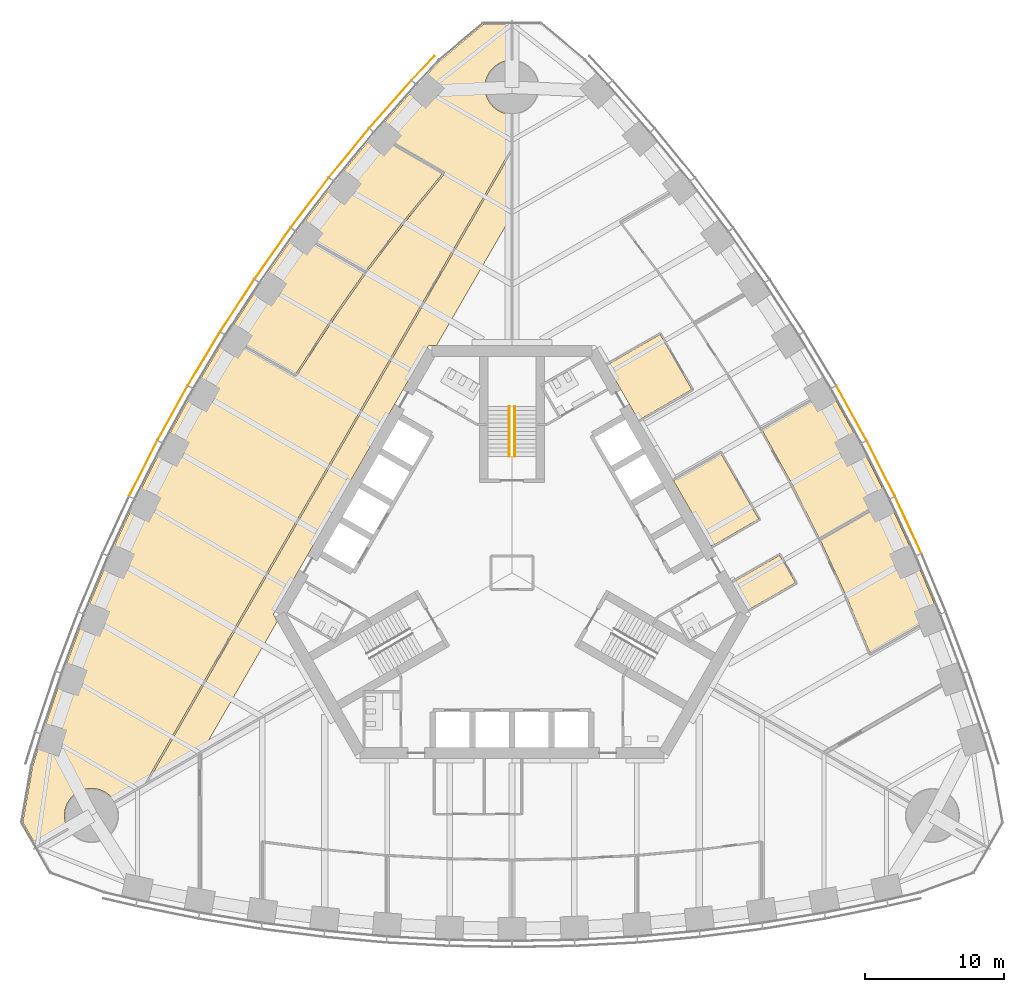
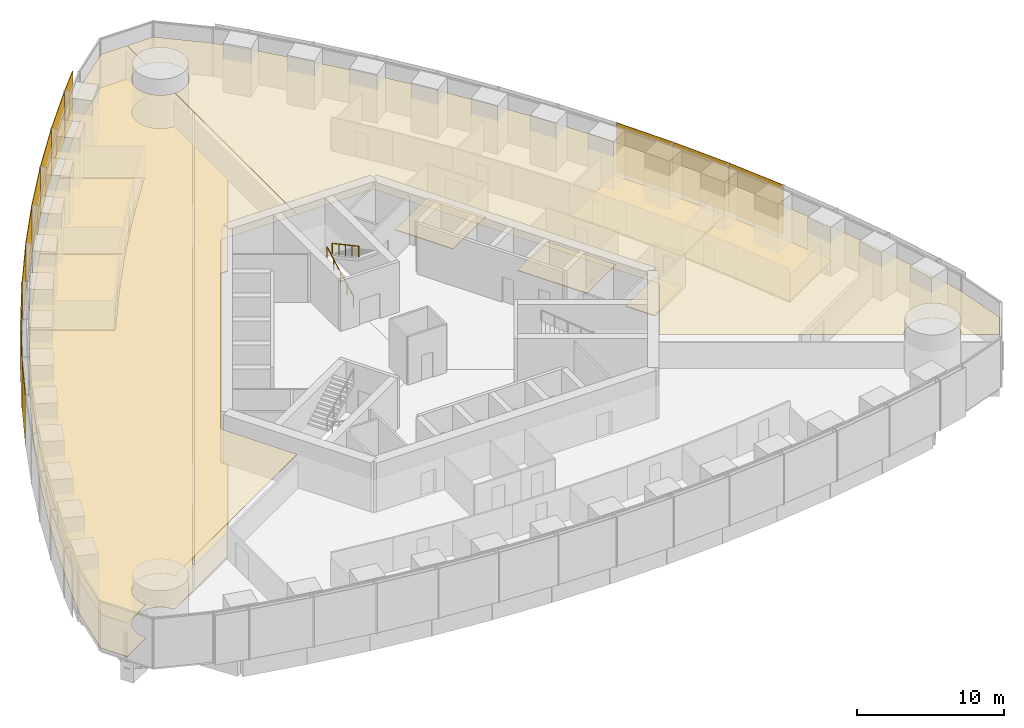
# One storey, part 15 of 18: 12 shading devices, 11 coverings, 2 railings.
"""IFC4 building model written with IfcOpenShell, lengths in metres."""

import ifcopenshell
import ifcopenshell.guid

model = None  # the IFC model being written
_history = None  # IfcOwnerHistory: only IFC2X3 demands one
_inside = {}  # id of a spatial element -> (the spatial element, [elements in it])
_under = {}  # id of a project, library or spatial element -> (it, [spatial elements below it])
_declared = {}  # id of a project -> (the project, [libraries it declares])
_typed = {}  # id of a type object -> (the type object, [elements of that type])
_made_of = {}  # id of a material, layer set ... -> (it, [elements and type objects made of it])


def new_model(schema):
    """Start an empty IFC model of exactly this schema.

    Asked for "IFC4X3", IfcOpenShell would pick the latest addendum, in which some entities
    have other attributes; the version numbers below select the first issue.
    IFC2X3 requires an IfcOwnerHistory on every rooted entity: one is made here for all.
    """
    global model, _history
    if schema == "IFC4X3":
        model = ifcopenshell.file(schema_version=(4, 3, 0, 0))
    else:
        model = ifcopenshell.file(schema=schema)
    _inside.clear()
    _under.clear()
    _declared.clear()
    _typed.clear()
    _made_of.clear()
    _history = None
    if model.schema == "IFC2X3":
        org = make("IfcOrganization", Name="unknown")
        user = make(
            "IfcPersonAndOrganization",
            ThePerson=make("IfcPerson", FamilyName="unknown"),
            TheOrganization=org,
        )
        app = make(
            "IfcApplication",
            ApplicationDeveloper=org,
            Version="unknown",
            ApplicationFullName="unknown",
            ApplicationIdentifier="unknown",
        )
        _history = make(
            "IfcOwnerHistory",
            OwningUser=user,
            OwningApplication=app,
            ChangeAction="ADDED",
            CreationDate=0,
        )
    return model


def make(cls, **values):
    """One entity of the class cls with the attributes given. An attribute that is None is left unset."""
    return model.create_entity(
        cls, **{name: value for name, value in values.items() if value is not None}
    )


def rooted(cls, **values):
    """An entity with a GlobalId (a new one), such as an element, a storey or a relation."""
    return make(cls, GlobalId=ifcopenshell.guid.new(), OwnerHistory=_history, **values)


def si_unit(unit_type, name, prefix=None):
    """IfcSIUnit, for example si_unit("LENGTHUNIT", "METRE", prefix="MILLI")."""
    return make("IfcSIUnit", UnitType=unit_type, Prefix=prefix, Name=name)


def assignment(units):
    """IfcUnitAssignment: the units of a project."""
    return None if units is None else make("IfcUnitAssignment", Units=units)


def point(xyz):
    """IfcCartesianPoint."""
    return None if xyz is None else make("IfcCartesianPoint", Coordinates=xyz)


def direction(xyz):
    """IfcDirection."""
    return None if xyz is None else make("IfcDirection", DirectionRatios=xyz)


def frame(location, z_axis=None, x_axis=None):
    """IfcAxis2Placement3D, a coordinate frame: its origin and axes. An axis left out is left unset."""
    return make(
        "IfcAxis2Placement3D",
        Location=point(location),
        Axis=direction(z_axis),
        RefDirection=direction(x_axis),
    )


def frame_2d(location, x_axis=None):
    """IfcAxis2Placement2D, a coordinate frame in the plane: its origin and x axis."""
    return make(
        "IfcAxis2Placement2D", Location=point(location), RefDirection=direction(x_axis)
    )


def origin():
    """The frame at (0, 0, 0) with its axes left unset."""
    return frame((0.0, 0.0, 0.0))


def origin_2d():
    """The frame at (0, 0) in the plane with its x axis left unset."""
    return frame_2d((0.0, 0.0))


def place(relative_to, where):
    """IfcLocalPlacement: puts the frame where relative to a parent placement (None: the world)."""
    return make(
        "IfcLocalPlacement", PlacementRelTo=relative_to, RelativePlacement=where
    )


def context(
    kind, dimensions, precision=None, world=None, true_north=None, identifier=None
):
    """IfcGeometricRepresentationContext, for example the 3D "Model" context."""
    return make(
        "IfcGeometricRepresentationContext",
        ContextIdentifier=identifier,
        ContextType=kind,
        CoordinateSpaceDimension=dimensions,
        Precision=precision,
        WorldCoordinateSystem=world,
        TrueNorth=true_north,
    )


def subcontext(parent, identifier, kind, view, scale=None):
    """IfcGeometricRepresentationSubContext, for example "Body" below "Model"."""
    return make(
        "IfcGeometricRepresentationSubContext",
        ContextIdentifier=identifier,
        ContextType=kind,
        ParentContext=parent,
        TargetScale=scale,
        TargetView=view,
    )


def project(units=None, contexts=None):
    """IfcProject with its units and contexts."""
    return rooted(
        "IfcProject",
        Name="project",
        RepresentationContexts=contexts,
        UnitsInContext=assignment(units),
    )


def spatial(cls, under=None, at=None, **own):
    """A site, building, storey or space (cls), placed at a placement, below another one or the project."""
    s = rooted(cls, ObjectPlacement=at, **own)
    if under is not None:
        _under.setdefault(under.id(), (under, []))[1].append(s)
    return s


def polyline(points):
    """IfcPolyline through the points."""
    return make("IfcPolyline", Points=[point(p) for p in points])


def profile(cls, at=None, kind="AREA", **sizes):
    """A parametric profile (cls). Its sizes go by their IFC names, for example OverallWidth=200.0."""
    return make(cls, ProfileType=kind, Position=at, **sizes)


def rectangle(**sizes):
    """IfcRectangleProfileDef."""
    return profile("IfcRectangleProfileDef", **sizes)


def circle(**sizes):
    """IfcCircleProfileDef."""
    return profile("IfcCircleProfileDef", **sizes)


def outline(outer, holes=None, kind="AREA"):
    """IfcArbitraryClosedProfileDef: a profile drawn as a closed curve; with holes, ...WithVoids."""
    if holes is None:
        return make("IfcArbitraryClosedProfileDef", ProfileType=kind, OuterCurve=outer)
    return make(
        "IfcArbitraryProfileDefWithVoids",
        ProfileType=kind,
        OuterCurve=outer,
        InnerCurves=holes,
    )


def extrude(swept, where, along, depth):
    """IfcExtrudedAreaSolid: the profile swept, set in the frame where, extruded along a direction by depth."""
    return make(
        "IfcExtrudedAreaSolid",
        SweptArea=swept,
        Position=where,
        ExtrudedDirection=direction(along),
        Depth=depth,
    )


def shape(context_of_items, identifier, shape_type, items):
    """IfcShapeRepresentation: the items that make up one representation, for example the "Body"."""
    return make(
        "IfcShapeRepresentation",
        ContextOfItems=context_of_items,
        RepresentationIdentifier=identifier,
        RepresentationType=shape_type,
        Items=items,
    )


def material(Name=None, Category=None):
    """IfcMaterial."""
    return make("IfcMaterial", Name=Name, Category=Category)


def layer(
    of_material, thickness, ventilated=None, Name=None, Category=None, Priority=None
):
    """IfcMaterialLayer: one layer of a wall or slab, of a material (None: an air gap)."""
    return make(
        "IfcMaterialLayer",
        Material=of_material,
        LayerThickness=thickness,
        IsVentilated=ventilated,
        Name=Name,
        Category=Category,
        Priority=Priority,
    )


def layer_set(layers, Name=None):
    """IfcMaterialLayerSet."""
    return make("IfcMaterialLayerSet", MaterialLayers=layers, LayerSetName=Name)


def made_of(thing, what):
    """Note that an element or type object is made of a material, layer set ...; save() writes the relation."""
    if what is not None:
        _made_of.setdefault(what.id(), (what, []))[1].append(thing)
    return thing


def type_object(cls, material=None, **own):
    """A type object (cls), such as IfcWallType, which elements share."""
    return made_of(rooted(cls, **own), material)


def element(
    cls,
    number,
    at=None,
    inside=None,
    cuts=None,
    type_object=None,
    material=None,
    context=None,
    identifier="Body",
    shape_type=None,
    held_by="IfcProductDefinitionShape",
    body=None,
    shapes=None,
    **own,
):
    """One element of the class cls, such as IfcWall. Its Tag is "e" and its number.

    at: its placement. inside: the storey or other place that contains it. cuts: it is an
    opening in that element (IfcRelVoidsElement). A single representation is given by context,
    identifier, shape_type and body (its items); several are given by shapes. held_by: the class
    of the entity that holds the representations. save() writes the other relations.
    """
    e = rooted(cls, Tag="e%d" % number, ObjectPlacement=at, **own)
    if body is not None:
        shapes = [shape(context, identifier, shape_type, body)]
    if shapes is not None:
        e.Representation = make(held_by, Representations=shapes)
    if inside is not None:
        _inside.setdefault(inside.id(), (inside, []))[1].append(e)
    if cuts is not None:
        rooted(
            "IfcRelVoidsElement", RelatingBuildingElement=cuts, RelatedOpeningElement=e
        )
    if type_object is not None:
        _typed.setdefault(type_object.id(), (type_object, []))[1].append(e)
    return made_of(e, material)


def aggregate(whole, parts):
    """IfcRelAggregates: a whole, such as a stair, and the parts it consists of."""
    return rooted("IfcRelAggregates", RelatingObject=whole, RelatedObjects=parts)


def save(model, path):
    """Write the relations noted so far, then the file.

    IfcRelAggregates (storeys below a building ...), IfcRelContainedInSpatialStructure (elements
    in a storey), IfcRelDefinesByType, IfcRelAssociatesMaterial and IfcRelDeclares: one each for
    every whole, place, type object, material and project.
    """
    for whole, parts in _under.values():
        aggregate(whole, parts)
    for where, things in _inside.values():
        rooted(
            "IfcRelContainedInSpatialStructure",
            RelatedElements=things,
            RelatingStructure=where,
        )
    for kind, things in _typed.values():
        rooted("IfcRelDefinesByType", RelatedObjects=things, RelatingType=kind)
    for what, things in _made_of.values():
        rooted("IfcRelAssociatesMaterial", RelatedObjects=things, RelatingMaterial=what)
    for by, libraries in _declared.values():
        rooted("IfcRelDeclares", RelatingContext=by, RelatedDefinitions=libraries)
    model.write(path)


model = new_model("IFC4")

# Units and contexts
model_context = context("Model", 3, precision=1e-05, world=origin(), true_north=direction((0.0, 1.0)))
body_context = subcontext(model_context, "Body", "Model", "MODEL_VIEW")
ifc_project = project(units=[si_unit("LENGTHUNIT", "METRE"), si_unit("AREAUNIT", "SQUARE_METRE"), si_unit("VOLUMEUNIT", "CUBIC_METRE"), si_unit("PLANEANGLEUNIT", "RADIAN"), si_unit("MASSUNIT", "GRAM", prefix="KILO")], contexts=[model_context])

# Site, building, storey
site_placement = place(None, origin())
site = spatial("IfcSite", under=ifc_project, at=site_placement, CompositionType="ELEMENT")
building_placement = place(site_placement, origin())
building = spatial("IfcBuilding", under=site, at=building_placement, Name="Trefoil Bronze Tower", CompositionType="ELEMENT")
storey_placement = place(building_placement, frame((0.0, 0.0, 170.300048828125)))
storey = spatial("IfcBuildingStorey", under=building, at=storey_placement, Name="L39", CompositionType="ELEMENT", Elevation=170.300048828125)

# Shading devices
ifc_material_1 = material(Name="Perforated bronze sheet", Category="bronze")
ifc_layer_1 = layer(ifc_material_1, 0.0400390625)
ifc_layer_set_1 = layer_set([ifc_layer_1], Name="Bronze solar screen panel")
shading_device_type = type_object("IfcShadingDeviceType", Name="Bronze solar screen panel", PredefinedType="SHUTTER", material=ifc_layer_set_1)
shading_device_1_placement = place(storey_placement, frame((28.563720703125, 3.444580078125, 0.0498046875), z_axis=(0.0, 0.0, 1.0), x_axis=(-0.419932995871, 0.907555110712, 0.0)))
element("IfcShadingDevice", 1, at=shading_device_1_placement, inside=storey, type_object=shading_device_type, Name="Solar screen CW-A L39 F2 bay 5", PredefinedType="SHUTTER", context=body_context, shape_type="SweptSolid", body=[
    extrude(rectangle(XDim=4.48828125, YDim=0.0400390625, at=origin_2d()), origin(), (0.0, 0.0, 1.0), 4.10009765625),
])
shading_device_2_placement = place(storey_placement, frame((26.5869140625, 7.52197265625, 0.0498046875), z_axis=(0.0, 0.0, 1.0), x_axis=(-0.452448919686, 0.891790320128, 0.0)))
element("IfcShadingDevice", 2, at=shading_device_2_placement, inside=storey, type_object=shading_device_type, Name="Solar screen CW-A L39 F2 bay 6", PredefinedType="SHUTTER", context=body_context, shape_type="SweptSolid", body=[
    extrude(rectangle(XDim=4.4765625, YDim=0.0400390625, at=origin_2d()), origin(), (0.0, 0.0, 1.0), 4.10009765625),
])
shading_device_3_placement = place(storey_placement, frame((24.468505859375, 11.517578125, 0.0498046875), z_axis=(0.0, 0.0, 1.0), x_axis=(-0.484312195836, 0.874895249138, 0.0)))
element("IfcShadingDevice", 3, at=shading_device_3_placement, inside=storey, type_object=shading_device_type, Name="Solar screen CW-A L39 F2 bay 7", PredefinedType="SHUTTER", context=body_context, shape_type="SweptSolid", body=[
    extrude(rectangle(XDim=4.470703125, YDim=0.0400390625, at=origin_2d()), origin(), (0.0, 0.0, 1.0), 4.10009765625),
])
shading_device_4_placement = place(storey_placement, frame((-6.416748046875, 36.383544921875, 0.0498046875), z_axis=(0.0, 0.0, 1.0), x_axis=(-0.682535770759, -0.730852188636, 0.0)))
element("IfcShadingDevice", 4, at=shading_device_4_placement, inside=storey, type_object=shading_device_type, Name="Solar screen CW-A L39 F3 bay 1", PredefinedType="SHUTTER", context=body_context, shape_type="SweptSolid", body=[
    extrude(rectangle(XDim=2.39013671875, YDim=0.0400390625, at=origin_2d()), origin(), (0.0, 0.0, 1.0), 4.10009765625),
])
shading_device_5_placement = place(storey_placement, frame((-8.77197265625, 33.766845703125, 0.0498046875), z_axis=(0.0, 0.0, 1.0), x_axis=(-0.661751405978, -0.749723333428, 0.0)))
element("IfcShadingDevice", 5, at=shading_device_5_placement, inside=storey, type_object=shading_device_type, Name="Solar screen CW-A L39 F3 bay 2", PredefinedType="SHUTTER", context=body_context, shape_type="SweptSolid", body=[
    extrude(rectangle(XDim=4.56103515625, YDim=0.0400390625, at=origin_2d()), origin(), (0.0, 0.0, 1.0), 4.10009765625),
])
shading_device_6_placement = place(storey_placement, frame((-11.7490234375, 30.26708984375, 0.0498046875), z_axis=(0.0, 0.0, 1.0), x_axis=(-0.633839916024, -0.773464259584, 0.0)))
element("IfcShadingDevice", 6, at=shading_device_6_placement, inside=storey, type_object=shading_device_type, Name="Solar screen CW-A L39 F3 bay 3", PredefinedType="SHUTTER", context=body_context, shape_type="SweptSolid", body=[
    extrude(rectangle(XDim=4.5302734375, YDim=0.0400390625, at=origin_2d()), origin(), (0.0, 0.0, 1.0), 4.10009765625),
])
shading_device_7_placement = place(storey_placement, frame((-14.579345703125, 26.6826171875, 0.0498046875), z_axis=(0.0, 0.0, 1.0), x_axis=(-0.605252319983, -0.796033685943, 0.0)))
element("IfcShadingDevice", 7, at=shading_device_7_placement, inside=storey, type_object=shading_device_type, Name="Solar screen CW-A L39 F3 bay 4", PredefinedType="SHUTTER", context=body_context, shape_type="SweptSolid", body=[
    extrude(rectangle(XDim=4.50634765625, YDim=0.0400390625, at=origin_2d()), origin(), (0.0, 0.0, 1.0), 4.10009765625),
])
shading_device_8_placement = place(storey_placement, frame((-17.264892578125, 23.014404296875, 0.0498046875), z_axis=(0.0, 0.0, 1.0), x_axis=(-0.575999283275, -0.817450197667, 0.0)))
element("IfcShadingDevice", 8, at=shading_device_8_placement, inside=storey, type_object=shading_device_type, Name="Solar screen CW-A L39 F3 bay 5", PredefinedType="SHUTTER", context=body_context, shape_type="SweptSolid", body=[
    extrude(rectangle(XDim=4.48828125, YDim=0.0400390625, at=origin_2d()), origin(), (0.0, 0.0, 1.0), 4.10009765625),
])
shading_device_9_placement = place(storey_placement, frame((-19.8076171875, 19.263916015625, 0.0498046875), z_axis=(0.0, 0.0, 1.0), x_axis=(-0.546088612237, -0.837727418427, 0.0)))
element("IfcShadingDevice", 9, at=shading_device_9_placement, inside=storey, type_object=shading_device_type, Name="Solar screen CW-A L39 F3 bay 6", PredefinedType="SHUTTER", context=body_context, shape_type="SweptSolid", body=[
    extrude(rectangle(XDim=4.4765625, YDim=0.0400390625, at=origin_2d()), origin(), (0.0, 0.0, 1.0), 4.10009765625),
])
for number, where, z_axis, x_axis, name in (
    (10, (-22.208740234375, 15.431396484375, 0.0498046875), (0.0, 0.0, 1.0), (-0.515525413486, -0.856874289526, 0.0), "Solar screen CW-A L39 F3 bay 7"),
    (11, (-24.468505859375, 11.517578125, 0.0498046875), (0.0, 0.0, 1.0), (-0.484312195836, -0.874895249138, 0.0), "Solar screen CW-A L39 F3 bay 8"),
):
    element("IfcShadingDevice", number, at=place(storey_placement, frame(where, z_axis=z_axis, x_axis=x_axis)), inside=storey, type_object=shading_device_type, Name=name, PredefinedType="SHUTTER", context=body_context, shape_type="SweptSolid", body=[
        extrude(rectangle(XDim=4.470703125, YDim=0.0400390625, at=origin_2d()), origin(), (0.0, 0.0, 1.0), 4.10009765625),
    ])
shading_device_10_placement = place(storey_placement, frame((-26.5869140625, 7.52197265625, 0.0498046875), z_axis=(0.0, 0.0, 1.0), x_axis=(-0.452448919686, -0.891790320128, 0.0)))
element("IfcShadingDevice", 12, at=shading_device_10_placement, inside=storey, type_object=shading_device_type, Name="Solar screen CW-A L39 F3 bay 9", PredefinedType="SHUTTER", context=body_context, shape_type="SweptSolid", body=[
    extrude(rectangle(XDim=4.4765625, YDim=0.0400390625, at=origin_2d()), origin(), (0.0, 0.0, 1.0), 4.10009765625),
])

# Railings
ifc_material_2 = material(Name="Steel handrail", Category="steel")
railing_type = type_object("IfcRailingType", Name="Handrail 900", PredefinedType="HANDRAIL", material=ifc_material_2)
railing_1_placement = place(storey_placement, frame((-0.199951171875, 8.389892578125, 0.161376953125)))
element("IfcRailing", 13, at=railing_1_placement, inside=storey, type_object=railing_type, Name="Handrail ST2 flight 1 L39", PredefinedType="HANDRAIL", context=body_context, shape_type="SweptSolid", body=[
    extrude(circle(Radius=0.02392578125, at=origin_2d()), frame((0.0, 0.0, 0.8759765625), z_axis=(0.0, 0.880474934443, 0.474092701714), x_axis=(-1.0, 0.0, 0.0)), (0.0, 0.0, 1.0), 4.0888671875),
    extrude(circle(Radius=0.02099609375, at=origin_2d()), origin(), (0.0, 0.0, 1.0), 0.851806640625),
    extrude(circle(Radius=0.02099609375, at=origin_2d()), frame((0.0, 0.89990234375, 0.484619140625)), (0.0, 0.0, 1.0), 0.851806640625),
    extrude(circle(Radius=0.02099609375, at=origin_2d()), frame((0.0, 1.800048828125, 0.96923828125)), (0.0, 0.0, 1.0), 0.851806640625),
    extrude(circle(Radius=0.02099609375, at=origin_2d()), frame((0.0, 2.7001953125, 1.453857421875)), (0.0, 0.0, 1.0), 0.851806640625),
    extrude(circle(Radius=0.02099609375, at=origin_2d()), frame((0.0, 3.60009765625, 1.9384765625)), (0.0, 0.0, 1.0), 0.851806640625),
])
railing_2_placement = place(storey_placement, frame((0.199951171875, 11.989990234375, 2.261474609375)))
element("IfcRailing", 14, at=railing_2_placement, inside=storey, type_object=railing_type, Name="Handrail ST2 flight 2 L39", PredefinedType="HANDRAIL", context=body_context, shape_type="SweptSolid", body=[
    extrude(circle(Radius=0.02392578125, at=origin_2d()), frame((0.0, 0.0, 0.8759765625), z_axis=(0.0, -0.880474934443, 0.474092701714), x_axis=(1.0, 0.0, 0.0)), (0.0, 0.0, 1.0), 4.0888671875),
    extrude(circle(Radius=0.02099609375, at=origin_2d()), origin(), (0.0, 0.0, 1.0), 0.851806640625),
    extrude(circle(Radius=0.02099609375, at=origin_2d()), frame((0.0, -0.89990234375, 0.484619140625)), (0.0, 0.0, 1.0), 0.851806640625),
    extrude(circle(Radius=0.02099609375, at=origin_2d()), frame((0.0, -1.800048828125, 0.96923828125)), (0.0, 0.0, 1.0), 0.851806640625),
    extrude(circle(Radius=0.02099609375, at=origin_2d()), frame((0.0, -2.7001953125, 1.453857421875)), (0.0, 0.0, 1.0), 0.851806640625),
    extrude(circle(Radius=0.02099609375, at=origin_2d()), frame((0.0, -3.60009765625, 1.9384765625)), (0.0, 0.0, 1.0), 0.851806640625),
])

# Coverings
ifc_material_3 = material(Name="Acoustic ceiling panels", Category="mineral fibre")
ifc_layer_2 = layer(ifc_material_3, 0.02001953125)
ifc_layer_set_2 = layer_set([ifc_layer_2], Name="Office ceiling 20")
covering_type_1 = type_object("IfcCoveringType", Name="Office ceiling 20", PredefinedType="CEILING", material=ifc_layer_set_2)
covering_1_placement = place(storey_placement, frame((0.0, 0.0, 2.89990234375)))
element("IfcCovering", 15, at=covering_1_placement, inside=storey, type_object=covering_type_1, Name="Ceiling L39 PA area F2", PredefinedType="CEILING", context=body_context, shape_type="SweptSolid", body=[
    extrude(outline(polyline([(6.847900390625, 35.130615234375), (9.885986328125, 31.6884765625), (12.776611328125, 28.1611328125), (15.522216796875, 24.55029296875), (18.124755859375, 20.856689453125), (20.585693359375, 17.081298828125), (22.906005859375, 13.224853515625), (25.085693359375, 9.287109375), (27.124755859375, 5.268310546875), (29.022216796875, 1.16748046875), (30.776611328125, -3.015625), (32.385986328125, -7.28271484375), (33.847900390625, -11.634765625), (34.5537109375, -13.94970703125), (35.2666015625, -17.99169921875), (34.247802734375, -19.755859375), (32.006103515625, -18.462646484375), (32.030517578125, -18.419189453125), (32.07373046875, -18.333740234375), (32.112548828125, -18.24609375), (32.14697265625, -18.156982421875), (32.177001953125, -18.066162109375), (32.202392578125, -17.973876953125), (32.223388671875, -17.88037109375), (32.23974609375, -17.7861328125), (32.25146484375, -17.691162109375), (32.258544921875, -17.595703125), (32.260986328125, -17.5), (32.258544921875, -17.404296875), (32.25146484375, -17.308837890625), (32.23974609375, -17.2138671875), (32.223388671875, -17.11962890625), (32.202392578125, -17.026123046875), (32.177001953125, -16.933837890625), (32.14697265625, -16.843017578125), (32.112548828125, -16.75390625), (32.07373046875, -16.666259765625), (32.030517578125, -16.580810546875), (31.9833984375, -16.49755859375), (31.932373046875, -16.41650390625), (31.877197265625, -16.33837890625), (31.818359375, -16.262939453125), (31.755615234375, -16.1904296875), (31.689697265625, -16.12109375), (31.620361328125, -16.05517578125), (31.548095703125, -15.99267578125), (31.472412109375, -15.93359375), (31.394287109375, -15.878662109375), (31.3134765625, -15.827392578125), (31.22998046875, -15.7802734375), (31.14453125, -15.7373046875), (31.05712890625, -15.698486328125), (30.9677734375, -15.6640625), (30.876953125, -15.634033203125), (30.78466796875, -15.6083984375), (30.69140625, -15.58740234375), (30.596923828125, -15.571044921875), (30.501953125, -15.559326171875), (30.406494140625, -15.55224609375), (30.310791015625, -15.550048828125), (30.215087890625, -15.55224609375), (30.119873046875, -15.559326171875), (30.02490234375, -15.571044921875), (29.930419921875, -15.58740234375), (29.837158203125, -15.6083984375), (29.744873046875, -15.634033203125), (29.654052734375, -15.6640625), (29.564697265625, -15.698486328125), (29.477294921875, -15.7373046875), (29.3916015625, -15.7802734375), (29.308349609375, -15.827392578125), (29.2275390625, -15.878662109375), (29.1494140625, -15.93359375), (29.07373046875, -15.99267578125), (29.001220703125, -16.05517578125), (28.931884765625, -16.12109375), (28.865966796875, -16.1904296875), (28.803466796875, -16.262939453125), (28.74462890625, -16.33837890625), (28.689453125, -16.41650390625), (28.628662109375, -16.514404296875), (14.205810546875, -8.194580078125), (17.205078125, -3.0), (6.00439453125, 16.39990234375), (0.006103515625, 16.39990234375), (0.012451171875, 33.05029296875), (0.095703125, 33.05224609375), (0.191162109375, 33.059326171875), (0.2861328125, 33.071044921875), (0.38037109375, 33.08740234375), (0.473876953125, 33.1083984375), (0.566162109375, 33.134033203125), (0.656982421875, 33.1640625), (0.74609375, 33.198486328125), (0.833740234375, 33.2373046875), (0.919189453125, 33.2802734375), (1.00244140625, 33.327392578125), (1.08349609375, 33.378662109375), (1.16162109375, 33.43359375), (1.237060546875, 33.49267578125), (1.3095703125, 33.55517578125), (1.37890625, 33.62109375), (1.44482421875, 33.6904296875), (1.50732421875, 33.762939453125), (1.56640625, 33.83837890625), (1.621337890625, 33.91650390625), (1.672607421875, 33.99755859375), (1.7197265625, 34.080810546875), (1.7626953125, 34.166259765625), (1.801513671875, 34.25390625), (1.8359375, 34.343017578125), (1.865966796875, 34.433837890625), (1.8916015625, 34.526123046875), (1.91259765625, 34.61962890625), (1.928955078125, 34.7138671875), (1.940673828125, 34.808837890625), (1.94775390625, 34.904296875), (1.949951171875, 35.0), (1.94775390625, 35.095703125), (1.940673828125, 35.191162109375), (1.928955078125, 35.2861328125), (1.91259765625, 35.38037109375), (1.8916015625, 35.473876953125), (1.865966796875, 35.566162109375), (1.8359375, 35.656982421875), (1.801513671875, 35.74609375), (1.7626953125, 35.833740234375), (1.7197265625, 35.919189453125), (1.672607421875, 36.00244140625), (1.621337890625, 36.08349609375), (1.56640625, 36.16162109375), (1.50732421875, 36.237060546875), (1.44482421875, 36.3095703125), (1.37890625, 36.37890625), (1.3095703125, 36.44482421875), (1.237060546875, 36.50732421875), (1.16162109375, 36.56640625), (1.08349609375, 36.621337890625), (1.00244140625, 36.672607421875), (0.919189453125, 36.7197265625), (0.833740234375, 36.7626953125), (0.74609375, 36.801513671875), (0.656982421875, 36.8359375), (0.566162109375, 36.865966796875), (0.473876953125, 36.8916015625), (0.38037109375, 36.91259765625), (0.2861328125, 36.928955078125), (0.191162109375, 36.940673828125), (0.095703125, 36.94775390625), (0.013916015625, 36.94970703125), (0.014892578125, 39.53759765625), (2.052001953125, 39.53759765625), (5.1962890625, 36.8994140625), (6.847900390625, 35.130615234375)])), origin(), (0.0, 0.0, 1.0), 0.02001953125),
])
covering_2_placement = place(storey_placement, frame((0.0, 0.0, 2.89990234375)))
element("IfcCovering", 16, at=covering_2_placement, inside=storey, type_object=covering_type_1, Name="Ceiling L39 PA area F3", PredefinedType="CEILING", context=body_context, shape_type="SweptSolid", body=[
    extrude(outline(polyline([(-33.847900390625, -11.634765625), (-32.385986328125, -7.28271484375), (-30.776611328125, -3.015625), (-29.022216796875, 1.16748046875), (-27.124755859375, 5.268310546875), (-25.085693359375, 9.287109375), (-22.906005859375, 13.224853515625), (-20.585693359375, 17.081298828125), (-18.124755859375, 20.856689453125), (-15.522216796875, 24.55029296875), (-12.776611328125, 28.1611328125), (-9.885986328125, 31.6884765625), (-6.847900390625, 35.130615234375), (-5.1962890625, 36.8994140625), (-2.052001953125, 39.53759765625), (-0.014892578125, 39.53759765625), (-0.013916015625, 36.94970703125), (-0.095703125, 36.94775390625), (-0.191162109375, 36.940673828125), (-0.2861328125, 36.928955078125), (-0.38037109375, 36.91259765625), (-0.473876953125, 36.8916015625), (-0.566162109375, 36.865966796875), (-0.656982421875, 36.8359375), (-0.74609375, 36.801513671875), (-0.833740234375, 36.7626953125), (-0.919189453125, 36.7197265625), (-1.00244140625, 36.672607421875), (-1.08349609375, 36.621337890625), (-1.16162109375, 36.56640625), (-1.237060546875, 36.50732421875), (-1.3095703125, 36.44482421875), (-1.37890625, 36.37890625), (-1.44482421875, 36.3095703125), (-1.50732421875, 36.237060546875), (-1.56640625, 36.16162109375), (-1.621337890625, 36.08349609375), (-1.672607421875, 36.00244140625), (-1.7197265625, 35.919189453125), (-1.7626953125, 35.833740234375), (-1.801513671875, 35.74609375), (-1.8359375, 35.656982421875), (-1.865966796875, 35.566162109375), (-1.8916015625, 35.473876953125), (-1.91259765625, 35.38037109375), (-1.928955078125, 35.2861328125), (-1.940673828125, 35.191162109375), (-1.94775390625, 35.095703125), (-1.949951171875, 35.0), (-1.94775390625, 34.904296875), (-1.940673828125, 34.808837890625), (-1.928955078125, 34.7138671875), (-1.91259765625, 34.61962890625), (-1.8916015625, 34.526123046875), (-1.865966796875, 34.433837890625), (-1.8359375, 34.343017578125), (-1.801513671875, 34.25390625), (-1.7626953125, 34.166259765625), (-1.7197265625, 34.080810546875), (-1.672607421875, 33.99755859375), (-1.621337890625, 33.91650390625), (-1.56640625, 33.83837890625), (-1.50732421875, 33.762939453125), (-1.44482421875, 33.6904296875), (-1.37890625, 33.62109375), (-1.3095703125, 33.55517578125), (-1.237060546875, 33.49267578125), (-1.16162109375, 33.43359375), (-1.08349609375, 33.378662109375), (-1.00244140625, 33.327392578125), (-0.919189453125, 33.2802734375), (-0.833740234375, 33.2373046875), (-0.74609375, 33.198486328125), (-0.656982421875, 33.1640625), (-0.566162109375, 33.134033203125), (-0.473876953125, 33.1083984375), (-0.38037109375, 33.08740234375), (-0.2861328125, 33.071044921875), (-0.191162109375, 33.059326171875), (-0.095703125, 33.05224609375), (-0.012451171875, 33.05029296875), (-0.006103515625, 16.39990234375), (-6.00439453125, 16.39990234375), (-17.205078125, -3.0), (-14.205810546875, -8.194580078125), (-28.628662109375, -16.514404296875), (-28.689453125, -16.41650390625), (-28.74462890625, -16.33837890625), (-28.803466796875, -16.262939453125), (-28.865966796875, -16.1904296875), (-28.931884765625, -16.12109375), (-29.001220703125, -16.05517578125), (-29.07373046875, -15.99267578125), (-29.1494140625, -15.93359375), (-29.2275390625, -15.878662109375), (-29.308349609375, -15.827392578125), (-29.3916015625, -15.7802734375), (-29.477294921875, -15.7373046875), (-29.564697265625, -15.698486328125), (-29.654052734375, -15.6640625), (-29.744873046875, -15.634033203125), (-29.837158203125, -15.6083984375), (-29.930419921875, -15.58740234375), (-30.02490234375, -15.571044921875), (-30.119873046875, -15.559326171875), (-30.215087890625, -15.55224609375), (-30.310791015625, -15.550048828125), (-30.406494140625, -15.55224609375), (-30.501953125, -15.559326171875), (-30.596923828125, -15.571044921875), (-30.69140625, -15.58740234375), (-30.78466796875, -15.6083984375), (-30.876953125, -15.634033203125), (-30.9677734375, -15.6640625), (-31.05712890625, -15.698486328125), (-31.14453125, -15.7373046875), (-31.22998046875, -15.7802734375), (-31.3134765625, -15.827392578125), (-31.394287109375, -15.878662109375), (-31.472412109375, -15.93359375), (-31.548095703125, -15.99267578125), (-31.620361328125, -16.05517578125), (-31.689697265625, -16.12109375), (-31.755615234375, -16.1904296875), (-31.818359375, -16.262939453125), (-31.877197265625, -16.33837890625), (-31.932373046875, -16.41650390625), (-31.9833984375, -16.49755859375), (-32.030517578125, -16.580810546875), (-32.07373046875, -16.666259765625), (-32.112548828125, -16.75390625), (-32.14697265625, -16.843017578125), (-32.177001953125, -16.933837890625), (-32.202392578125, -17.026123046875), (-32.223388671875, -17.11962890625), (-32.23974609375, -17.2138671875), (-32.25146484375, -17.308837890625), (-32.258544921875, -17.404296875), (-32.260986328125, -17.5), (-32.258544921875, -17.595703125), (-32.25146484375, -17.691162109375), (-32.23974609375, -17.7861328125), (-32.223388671875, -17.88037109375), (-32.202392578125, -17.973876953125), (-32.177001953125, -18.066162109375), (-32.14697265625, -18.156982421875), (-32.112548828125, -18.24609375), (-32.07373046875, -18.333740234375), (-32.030517578125, -18.419189453125), (-32.006103515625, -18.462646484375), (-34.247802734375, -19.755859375), (-35.2666015625, -17.99169921875), (-34.5537109375, -13.94970703125), (-33.847900390625, -11.634765625)])), origin(), (0.0, 0.0, 1.0), 0.02001953125),
])
ifc_material_4 = material(Name="Raised access floor panels", Category="steel")
ifc_layer_3 = layer(ifc_material_4, 0.050048828125)
ifc_layer_set_3 = layer_set([ifc_layer_3], Name="Raised access floor 150")
covering_type_2 = type_object("IfcCoveringType", Name="Raised access floor 150", PredefinedType="FLOORING", material=ifc_layer_set_3)
covering_3_placement = place(storey_placement, frame((0.0, 0.0, 0.099853515625)))
element("IfcCovering", 17, at=covering_3_placement, inside=storey, type_object=covering_type_2, Name="Raised floor L39 Reception F2", PredefinedType="FLOORING", context=body_context, shape_type="SweptSolid", body=[
    extrude(outline(polyline([(6.834716796875, 14.9619140625), (10.679931640625, 17.181884765625), (12.969970703125, 13.215576171875), (9.124755859375, 10.99560546875), (6.834716796875, 14.9619140625)])), origin(), (0.0, 0.0, 1.0), 0.050048828125),
])
covering_4_placement = place(storey_placement, frame((0.0, 0.0, 0.099853515625)))
element("IfcCovering", 18, at=covering_4_placement, inside=storey, type_object=covering_type_2, Name="Raised floor L39 Meeting room F2", PredefinedType="FLOORING", context=body_context, shape_type="SweptSolid", body=[
    extrude(outline(polyline([(11.634765625, 6.64794921875), (15.046875, 8.617919921875), (17.786865234375, 3.872314453125), (14.374755859375, 1.902099609375), (11.634765625, 6.64794921875)])), origin(), (0.0, 0.0, 1.0), 0.050048828125),
])
covering_5_placement = place(storey_placement, frame((0.0, 0.0, 0.099853515625)))
element("IfcCovering", 19, at=covering_5_placement, inside=storey, type_object=covering_type_2, Name="Raised floor L39 Comms room F2", PredefinedType="FLOORING", context=body_context, shape_type="SweptSolid", body=[
    extrude(outline(polyline([(15.884765625, -0.713134765625), (19.296875, 1.2568359375), (20.43701171875, -0.7177734375), (17.024658203125, -2.687744140625), (15.884765625, -0.713134765625)])), origin(), (0.0, 0.0, 1.0), 0.050048828125),
])
covering_6_placement = place(storey_placement, frame((0.0, 0.0, 0.099853515625)))
element("IfcCovering", 20, at=covering_6_placement, inside=storey, type_object=covering_type_2, Name="Raised floor L39 Executive office F2", PredefinedType="FLOORING", context=body_context, shape_type="SweptSolid", body=[
    extrude(outline(polyline([(25.085693359375, 9.287109375), (27.124755859375, 5.268310546875), (25.709716796875, 4.451171875), (25.6796875, 4.503173828125), (22.170166015625, 2.476806640625), (20.15966796875, 6.439208984375), (20.106201171875, 6.412109375), (20.15869140625, 6.441162109375), (18.007568359375, 10.327392578125), (21.5244140625, 12.35791015625), (21.494384765625, 12.409912109375), (22.906005859375, 13.224853515625), (25.085693359375, 9.287109375)])), origin(), (0.0, 0.0, 1.0), 0.050048828125),
])
covering_7_placement = place(storey_placement, frame((0.0, 0.0, 0.099853515625)))
element("IfcCovering", 21, at=covering_7_placement, inside=storey, type_object=covering_type_2, Name="Raised floor L39 Executive office F2", PredefinedType="FLOORING", context=body_context, shape_type="SweptSolid", body=[
    extrude(outline(polyline([(29.022216796875, 1.16748046875), (30.776611328125, -3.015625), (29.350341796875, -3.839111328125), (29.3203125, -3.787353515625), (25.825927734375, -5.8046875), (24.097900390625, -1.68408203125), (24.04248046875, -1.70751953125), (24.09716796875, -1.68212890625), (22.22265625, 2.36865234375), (25.739501953125, 4.399169921875), (25.709716796875, 4.451171875), (27.124755859375, 5.268310546875), (29.022216796875, 1.16748046875)])), origin(), (0.0, 0.0, 1.0), 0.050048828125),
])
covering_8_placement = place(storey_placement, frame((0.0, 0.0, 0.099853515625)))
element("IfcCovering", 22, at=covering_8_placement, inside=storey, type_object=covering_type_2, Name="Raised floor L39 Executive office F3", PredefinedType="FLOORING", context=body_context, shape_type="SweptSolid", body=[
    extrude(outline(polyline([(-12.776611328125, 28.1611328125), (-9.885986328125, 31.6884765625), (-8.451171875, 30.860107421875), (-8.481201171875, 30.80810546875), (-4.997802734375, 28.796875), (-7.843505859375, 25.32421875), (-7.797119140625, 25.2861328125), (-7.8447265625, 25.322509765625), (-10.558349609375, 21.753662109375), (-14.072509765625, 23.782470703125), (-14.102294921875, 23.73046875), (-15.522216796875, 24.55029296875), (-12.776611328125, 28.1611328125)])), origin(), (0.0, 0.0, 1.0), 0.050048828125),
])
covering_9_placement = place(storey_placement, frame((0.0, 0.0, 0.099853515625)))
element("IfcCovering", 23, at=covering_9_placement, inside=storey, type_object=covering_type_2, Name="Raised floor L39 Executive office F3", PredefinedType="FLOORING", context=body_context, shape_type="SweptSolid", body=[
    extrude(outline(polyline([(-18.124755859375, 20.856689453125), (-15.522216796875, 24.55029296875), (-14.102294921875, 23.73046875), (-14.13232421875, 23.678466796875), (-10.62939453125, 21.656005859375), (-13.1943359375, 18.016357421875), (-13.145263671875, 17.981689453125), (-13.195556640625, 18.014404296875), (-15.62548828125, 14.286865234375), (-19.143310546875, 16.31787109375), (-19.17333984375, 16.265869140625), (-20.585693359375, 17.081298828125), (-18.124755859375, 20.856689453125)])), origin(), (0.0, 0.0, 1.0), 0.050048828125),
])
covering_10_placement = place(storey_placement, frame((0.0, 0.0, 0.099853515625)))
element("IfcCovering", 24, at=covering_10_placement, inside=storey, type_object=covering_type_2, Name="Raised floor L39 Corridor F3", PredefinedType="FLOORING", context=body_context, shape_type="SweptSolid", body=[
    extrude(outline(polyline([(-0.011474609375, 30.38037109375), (-0.009765625, 25.783203125), (-5.427001953125, 16.39990234375), (-6.00439453125, 16.39990234375), (-17.205078125, -3.0), (-16.91650390625, -3.5), (-22.333740234375, -12.88330078125), (-26.31591796875, -15.180419921875), (-0.011474609375, 30.38037109375)])), origin(), (0.0, 0.0, 1.0), 0.050048828125),
])
covering_11_placement = place(storey_placement, frame((0.0, 0.0, 0.099853515625)))
element("IfcCovering", 25, at=covering_11_placement, inside=storey, type_object=covering_type_2, Name="Raised floor L39 PA area F3", PredefinedType="FLOORING", context=body_context, shape_type="SweptSolid", body=[
    extrude(outline(polyline([(-22.906005859375, 13.224853515625), (-20.585693359375, 17.081298828125), (-19.17333984375, 16.265869140625), (-19.203369140625, 16.2138671875), (-15.63623046875, 14.154296875), (-15.606201171875, 14.206298828125), (-15.555908203125, 14.173583984375), (-13.7451171875, 16.951416015625), (-12.408447265625, 18.923095703125), (-10.494140625, 21.639892578125), (-8.50634765625, 24.254150390625), (-6.95361328125, 26.220947265625), (-4.860107421875, 28.775390625), (-4.906494140625, 28.8134765625), (-4.87646484375, 28.865478515625), (-8.421142578125, 30.912109375), (-8.451171875, 30.860107421875), (-9.885986328125, 31.6884765625), (-6.847900390625, 35.130615234375), (-5.1962890625, 36.8994140625), (-2.052001953125, 39.53759765625), (-0.014892578125, 39.53759765625), (-0.013916015625, 36.94970703125), (-0.095703125, 36.94775390625), (-0.191162109375, 36.940673828125), (-0.2861328125, 36.928955078125), (-0.38037109375, 36.91259765625), (-0.473876953125, 36.8916015625), (-0.566162109375, 36.865966796875), (-0.656982421875, 36.8359375), (-0.74609375, 36.801513671875), (-0.833740234375, 36.7626953125), (-0.919189453125, 36.7197265625), (-1.00244140625, 36.672607421875), (-1.08349609375, 36.621337890625), (-1.16162109375, 36.56640625), (-1.237060546875, 36.50732421875), (-1.3095703125, 36.44482421875), (-1.37890625, 36.37890625), (-1.44482421875, 36.3095703125), (-1.50732421875, 36.237060546875), (-1.56640625, 36.16162109375), (-1.621337890625, 36.08349609375), (-1.672607421875, 36.00244140625), (-1.7197265625, 35.919189453125), (-1.7626953125, 35.833740234375), (-1.801513671875, 35.74609375), (-1.8359375, 35.656982421875), (-1.865966796875, 35.566162109375), (-1.8916015625, 35.473876953125), (-1.91259765625, 35.38037109375), (-1.928955078125, 35.2861328125), (-1.940673828125, 35.191162109375), (-1.94775390625, 35.095703125), (-1.949951171875, 35.0), (-1.94775390625, 34.904296875), (-1.940673828125, 34.808837890625), (-1.928955078125, 34.7138671875), (-1.91259765625, 34.61962890625), (-1.8916015625, 34.526123046875), (-1.865966796875, 34.433837890625), (-1.8359375, 34.343017578125), (-1.801513671875, 34.25390625), (-1.7626953125, 34.166259765625), (-1.7197265625, 34.080810546875), (-1.672607421875, 33.99755859375), (-1.621337890625, 33.91650390625), (-1.56640625, 33.83837890625), (-1.50732421875, 33.762939453125), (-1.44482421875, 33.6904296875), (-1.37890625, 33.62109375), (-1.3095703125, 33.55517578125), (-1.237060546875, 33.49267578125), (-1.16162109375, 33.43359375), (-1.08349609375, 33.378662109375), (-1.00244140625, 33.327392578125), (-0.919189453125, 33.2802734375), (-0.833740234375, 33.2373046875), (-0.74609375, 33.198486328125), (-0.656982421875, 33.1640625), (-0.566162109375, 33.134033203125), (-0.473876953125, 33.1083984375), (-0.38037109375, 33.08740234375), (-0.2861328125, 33.071044921875), (-0.191162109375, 33.059326171875), (-0.095703125, 33.05224609375), (-0.012451171875, 33.05029296875), (-0.011474609375, 30.488525390625), (-0.068359375, 30.521484375), (-26.466552734375, -15.201416015625), (-26.40966796875, -15.234375), (-28.628662109375, -16.514404296875), (-28.689453125, -16.41650390625), (-28.74462890625, -16.33837890625), (-28.803466796875, -16.262939453125), (-28.865966796875, -16.1904296875), (-28.931884765625, -16.12109375), (-29.001220703125, -16.05517578125), (-29.07373046875, -15.99267578125), (-29.1494140625, -15.93359375), (-29.2275390625, -15.878662109375), (-29.308349609375, -15.827392578125), (-29.3916015625, -15.7802734375), (-29.477294921875, -15.7373046875), (-29.564697265625, -15.698486328125), (-29.654052734375, -15.6640625), (-29.744873046875, -15.634033203125), (-29.837158203125, -15.6083984375), (-29.930419921875, -15.58740234375), (-30.02490234375, -15.571044921875), (-30.119873046875, -15.559326171875), (-30.215087890625, -15.55224609375), (-30.310791015625, -15.550048828125), (-30.406494140625, -15.55224609375), (-30.501953125, -15.559326171875), (-30.596923828125, -15.571044921875), (-30.69140625, -15.58740234375), (-30.78466796875, -15.6083984375), (-30.876953125, -15.634033203125), (-30.9677734375, -15.6640625), (-31.05712890625, -15.698486328125), (-31.14453125, -15.7373046875), (-31.22998046875, -15.7802734375), (-31.3134765625, -15.827392578125), (-31.394287109375, -15.878662109375), (-31.472412109375, -15.93359375), (-31.548095703125, -15.99267578125), (-31.620361328125, -16.05517578125), (-31.689697265625, -16.12109375), (-31.755615234375, -16.1904296875), (-31.818359375, -16.262939453125), (-31.877197265625, -16.33837890625), (-31.932373046875, -16.41650390625), (-31.9833984375, -16.49755859375), (-32.030517578125, -16.580810546875), (-32.07373046875, -16.666259765625), (-32.112548828125, -16.75390625), (-32.14697265625, -16.843017578125), (-32.177001953125, -16.933837890625), (-32.202392578125, -17.026123046875), (-32.223388671875, -17.11962890625), (-32.23974609375, -17.2138671875), (-32.25146484375, -17.308837890625), (-32.258544921875, -17.404296875), (-32.260986328125, -17.5), (-32.258544921875, -17.595703125), (-32.25146484375, -17.691162109375), (-32.23974609375, -17.7861328125), (-32.223388671875, -17.88037109375), (-32.202392578125, -17.973876953125), (-32.177001953125, -18.066162109375), (-32.14697265625, -18.156982421875), (-32.112548828125, -18.24609375), (-32.07373046875, -18.333740234375), (-32.030517578125, -18.419189453125), (-32.006103515625, -18.462646484375), (-34.247802734375, -19.755859375), (-35.2666015625, -17.99169921875), (-34.5537109375, -13.94970703125), (-33.847900390625, -11.634765625), (-32.385986328125, -7.28271484375), (-30.776611328125, -3.015625), (-29.022216796875, 1.16748046875), (-27.124755859375, 5.268310546875), (-25.085693359375, 9.287109375), (-22.906005859375, 13.224853515625)])), origin(), (0.0, 0.0, 1.0), 0.050048828125),
])

save(model, "model.ifc")
